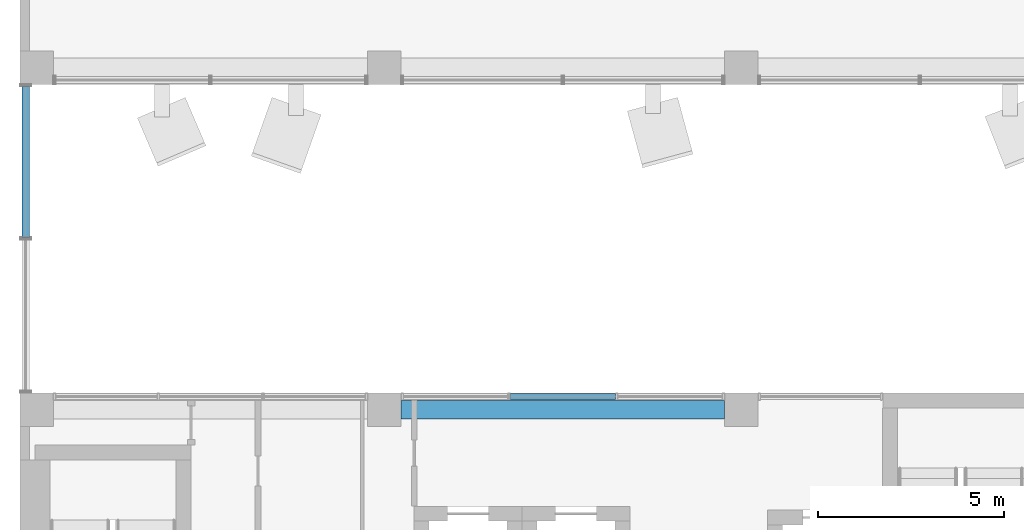
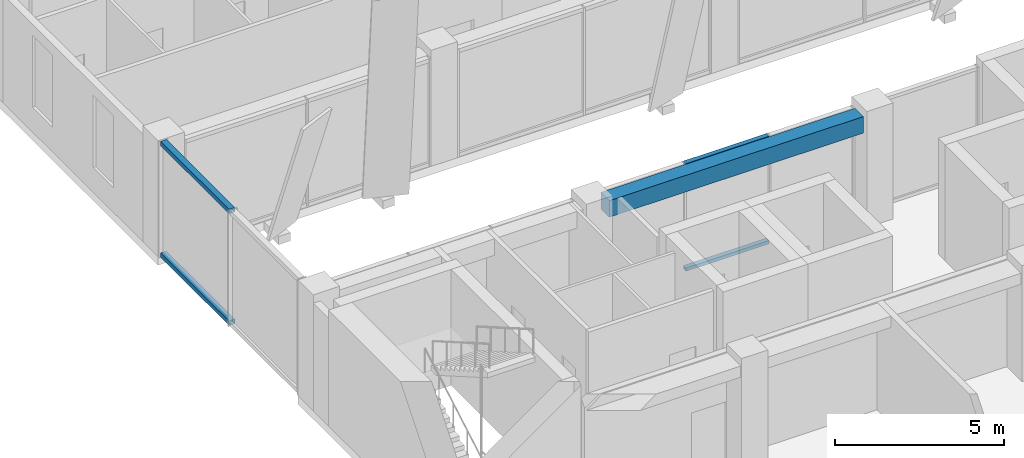
# One storey, part 7 of 36: 4 members, 1 beam, 2 elements without a shape of their own.
"""IFC4 building model written with IfcOpenShell, lengths in metres."""

from ifc_helpers import new_model, si_unit, direction, frame, origin, origin_2d, place, context, subcontext, project, spatial, rectangle, hollow_rectangle, extrude, material, layer, layer_set, material_profile, profile_set, type_object, element, aggregate, save


model = new_model("IFC4")

# Units and contexts
model_context = context("Model", 3, precision=1e-05, world=origin(), true_north=direction((0.0, 1.0)))
body_context = subcontext(model_context, "Body", "Model", "MODEL_VIEW")
ifc_project = project(units=[si_unit("LENGTHUNIT", "METRE"), si_unit("AREAUNIT", "SQUARE_METRE"), si_unit("VOLUMEUNIT", "CUBIC_METRE"), si_unit("PLANEANGLEUNIT", "RADIAN"), si_unit("MASSUNIT", "GRAM", prefix="KILO")], contexts=[model_context])

# Site, building, storey
site_placement = place(None, origin())
site = spatial("IfcSite", under=ifc_project, at=site_placement, CompositionType="ELEMENT")
building_placement = place(site_placement, origin())
building = spatial("IfcBuilding", under=site, at=building_placement, Name="Nzadi Deep Aquarium and Research Tower", CompositionType="ELEMENT")
storey_placement = place(building_placement, frame((0.0, 0.0, 40.300048828125)))
storey = spatial("IfcBuildingStorey", under=building, at=storey_placement, Name="L07", CompositionType="ELEMENT", Elevation=40.300048828125)

# Beam
ifc_material_1 = material(Name="Concrete C35/45", Category="concrete")
ifc_material_profile_1 = material_profile(ifc_material_1, rectangle(XDim=0.5, YDim=0.60009765625, at=origin_2d()))
ifc_profile_set_1 = profile_set([ifc_material_profile_1], Name="Concrete C35/45")
beam_type = type_object("IfcBeamType", Name="RC 500x600", PredefinedType="BEAM", material=ifc_profile_set_1)
beam_placement = place(storey_placement, frame((10.050048828125, 18.39990234375, 3.599853515625), z_axis=(1.0, 0.0, 0.0), x_axis=(0.0, 1.0, 0.0)))
element("IfcBeam", 1, at=beam_placement, inside=storey, type_object=beam_type, Name="B-Z1-L07-L3-2", PredefinedType="BEAM", context=body_context, shape_type="SweptSolid", body=[
    extrude(rectangle(XDim=0.5, YDim=0.60009765625, at=origin_2d()), origin(), (0.0, 0.0, 1.0), 8.699951171875),
])

# Curtain wall, members
ifc_material_2 = material(Name="Aluminium unitised frame", Category="aluminium")
ifc_layer_1 = layer(ifc_material_2, 0.199951171875)
ifc_layer_set_1 = layer_set([ifc_layer_1], Name="Aluminium unitised frame")
curtain_wall_type_1 = type_object("IfcCurtainWallType", Name="Curtain wall Unitised 200", PredefinedType="NOTDEFINED", material=ifc_layer_set_1)
curtain_wall_1_placement = place(storey_placement, origin())
curtain_wall_1 = element("IfcCurtainWall", 2, at=curtain_wall_1_placement, inside=storey, type_object=curtain_wall_type_1, Name="Unitised curtain wall blade A north L07", PredefinedType="NOTDEFINED")
ifc_material_3 = material(Name="Aluminium unitised frame", Category="aluminium")
ifc_material_profile_2 = material_profile(ifc_material_3, hollow_rectangle(XDim=0.159912109375, YDim=0.1201171875, WallThickness=0.0048828125, at=origin_2d()))
ifc_profile_set_2 = profile_set([ifc_material_profile_2], Name="Aluminium unitised frame")
member_type_1 = type_object("IfcMemberType", Name="Transom 120x160 Unitised", PredefinedType="MULLION", material=ifc_profile_set_2)
member_1_placement = place(storey_placement, frame((12.97998046875, 18.75, 0.06005859375), z_axis=(1.0, 0.0, 0.0), x_axis=(0.0, 1.0, 0.0)))
member_1 = element("IfcMember", 3, at=member_1_placement, type_object=member_type_1, Name="CW017 transom 2.1", PredefinedType="MULLION", context=body_context, shape_type="SweptSolid", body=[
    extrude(hollow_rectangle(XDim=0.159912109375, YDim=0.1201171875, WallThickness=0.0048828125, at=origin_2d()), origin(), (0.0, 0.0, 1.0), 2.840087890625),
])
member_2_placement = place(storey_placement, frame((12.97998046875, 18.75, 3.83984375), z_axis=(1.0, 0.0, 0.0), x_axis=(0.0, 1.0, 0.0)))
member_2 = element("IfcMember", 4, at=member_2_placement, type_object=member_type_1, Name="CW017 transom 2.2", PredefinedType="MULLION", context=body_context, shape_type="SweptSolid", body=[
    extrude(hollow_rectangle(XDim=0.159912109375, YDim=0.1201171875, WallThickness=0.0048828125, at=origin_2d()), origin(), (0.0, 0.0, 1.0), 2.840087890625),
])
aggregate(curtain_wall_1, [member_1, member_2])

ifc_material_4 = material(Name="Aluminium unitised frame wind post", Category="aluminium")
ifc_layer_2 = layer(ifc_material_4, 0.300048828125)
ifc_layer_set_2 = layer_set([ifc_layer_2], Name="Aluminium unitised frame wind post")
curtain_wall_type_2 = type_object("IfcCurtainWallType", Name="Curtain wall Slot End 300", PredefinedType="NOTDEFINED", material=ifc_layer_set_2)
curtain_wall_2_placement = place(storey_placement, origin())
curtain_wall_2 = element("IfcCurtainWall", 5, at=curtain_wall_2_placement, inside=storey, type_object=curtain_wall_type_2, Name="Glazed slot end west L07", PredefinedType="NOTDEFINED")
ifc_material_5 = material(Name="Aluminium unitised frame wind post", Category="aluminium")
ifc_material_profile_3 = material_profile(ifc_material_5, hollow_rectangle(XDim=0.199951171875, YDim=0.159912109375, WallThickness=0.0048828125, at=origin_2d()))
ifc_profile_set_3 = profile_set([ifc_material_profile_3], Name="Aluminium unitised frame wind post")
member_type_2 = type_object("IfcMemberType", Name="Transom 160x200 Slot End", PredefinedType="MULLION", material=ifc_profile_set_3)
member_3_placement = place(storey_placement, frame((-0.050048828125, 23.030029296875, 0.079833984375), z_axis=(0.0, 1.0, 0.0), x_axis=(-1.0, 0.0, 0.0)))
member_3 = element("IfcMember", 6, at=member_3_placement, type_object=member_type_2, Name="CW205 transom 2.1", PredefinedType="MULLION", context=body_context, shape_type="SweptSolid", body=[
    extrude(hollow_rectangle(XDim=0.199951171875, YDim=0.159912109375, WallThickness=0.0048828125, at=origin_2d()), origin(), (0.0, 0.0, 1.0), 4.06005859375),
])
member_4_placement = place(storey_placement, frame((-0.050048828125, 23.030029296875, 4.119873046875), z_axis=(0.0, 1.0, 0.0), x_axis=(-1.0, 0.0, 0.0)))
member_4 = element("IfcMember", 7, at=member_4_placement, type_object=member_type_2, Name="CW205 transom 2.2", PredefinedType="MULLION", context=body_context, shape_type="SweptSolid", body=[
    extrude(hollow_rectangle(XDim=0.199951171875, YDim=0.159912109375, WallThickness=0.0048828125, at=origin_2d()), origin(), (0.0, 0.0, 1.0), 4.06005859375),
])
aggregate(curtain_wall_2, [member_3, member_4])

save(model, "model.ifc")
